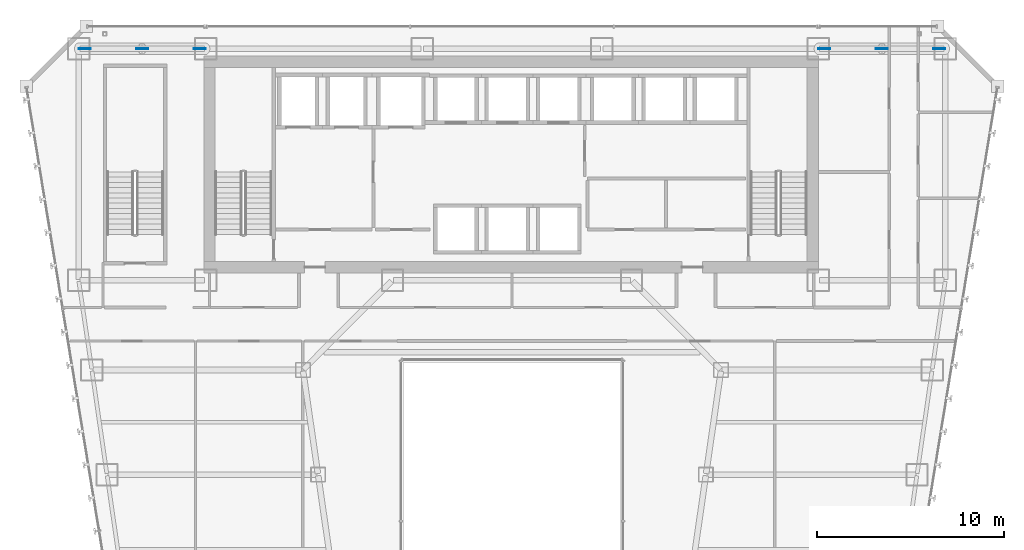
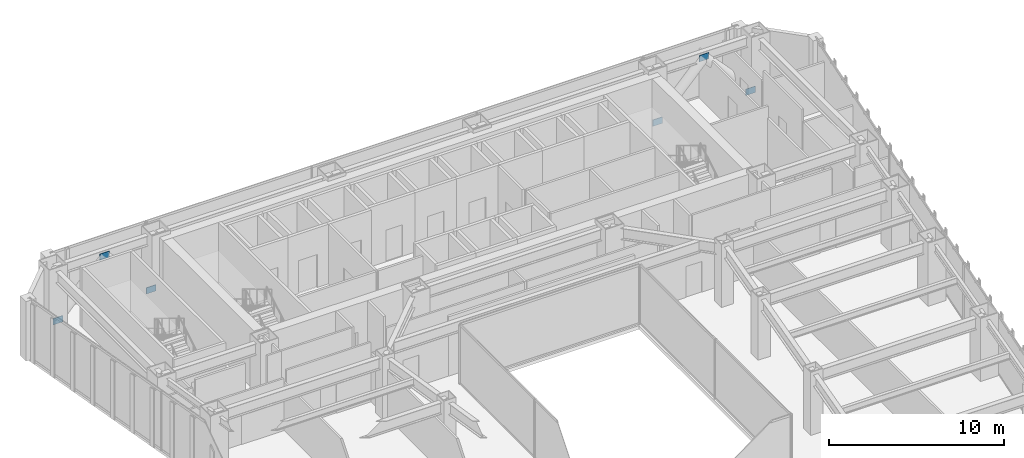
# One storey, part 35 of 47: 6 plates.
"""IFC4 building model written with IfcOpenShell, lengths in metres."""

from ifc_helpers import new_model, si_unit, direction, frame, origin, origin_2d, place, context, subcontext, project, spatial, rectangle, extrude, material, layer, layer_set, type_object, element, save


model = new_model("IFC4")

# Units and contexts
model_context = context("Model", 3, precision=1e-05, world=origin(), true_north=direction((0.0, 1.0)))
body_context = subcontext(model_context, "Body", "Model", "MODEL_VIEW")
ifc_project = project(units=[si_unit("LENGTHUNIT", "METRE"), si_unit("AREAUNIT", "SQUARE_METRE"), si_unit("VOLUMEUNIT", "CUBIC_METRE"), si_unit("PLANEANGLEUNIT", "RADIAN"), si_unit("MASSUNIT", "GRAM", prefix="KILO")], contexts=[model_context])

# Site, building, storey
site_placement = place(None, origin())
site = spatial("IfcSite", under=ifc_project, at=site_placement, CompositionType="ELEMENT")
building_placement = place(site_placement, origin())
building = spatial("IfcBuilding", under=site, at=building_placement, Name="Saevonmaru Cultural Tower", CompositionType="ELEMENT")
storey_placement = place(building_placement, frame((0.0, 0.0, 51.60009765625)))
storey = spatial("IfcBuildingStorey", under=building, at=storey_placement, Name="L10", CompositionType="ELEMENT", Elevation=51.60009765625)

# Plates
ifc_material = material(Name="Steel HSA600 (600 MPa)", Category="steel")
ifc_layer = layer(ifc_material, 0.0400390625, Name="Steel HSA600 (600 MPa)")
ifc_layer_set = layer_set([ifc_layer], Name="Steel HSA600 (600 MPa)")
plate_type = type_object("IfcPlateType", Name="PL-GUSSET-EXT", PredefinedType="USERDEFINED", material=ifc_layer_set)
for number, where, z_axis, x_axis, name in (
    (1, (10.199951171875, 54.800048828125, 3.449951171875), (0.0, 0.0, 1.0), (1.0, 0.0, 0.0), "L10 Perimeter Tube Gusset Plate"),
    (2, (7.1201171875, 54.800048828125, 0.02001953125), (0.0, 0.0, 1.0), (1.0, 0.0, 0.0), "L10 Perimeter Tube Gusset Plate"),
    (3, (13.280029296875, 54.800048828125, 0.02001953125), (0.0, 0.0, 1.0), (1.0, 0.0, 0.0), "L10 Perimeter Tube Gusset Plate"),
    (4, (49.800048828125, 54.800048828125, 3.449951171875), (0.0, 0.0, 1.0), (1.0, 0.0, 0.0), "L10 Perimeter Tube Gusset Plate"),
    (5, (46.719970703125, 54.800048828125, 0.02001953125), (0.0, 0.0, 1.0), (1.0, 0.0, 0.0), "L10 Perimeter Tube Gusset Plate"),
    (6, (52.8798828125, 54.800048828125, 0.02001953125), (0.0, 0.0, 1.0), (1.0, 0.0, 0.0), "L10 Perimeter Tube Gusset Plate"),
):
    element("IfcPlate", number, at=place(storey_placement, frame(where, z_axis=z_axis, x_axis=x_axis)), inside=storey, type_object=plate_type, Name=name, ObjectType="GUSSET_PLATE", PredefinedType="USERDEFINED", context=body_context, shape_type="SweptSolid", body=[
        extrude(rectangle(XDim=0.639892578125, YDim=0.0400390625, at=origin_2d()), origin(), (0.0, 0.0, 1.0), 0.43994140625),
    ])

save(model, "model.ifc")
